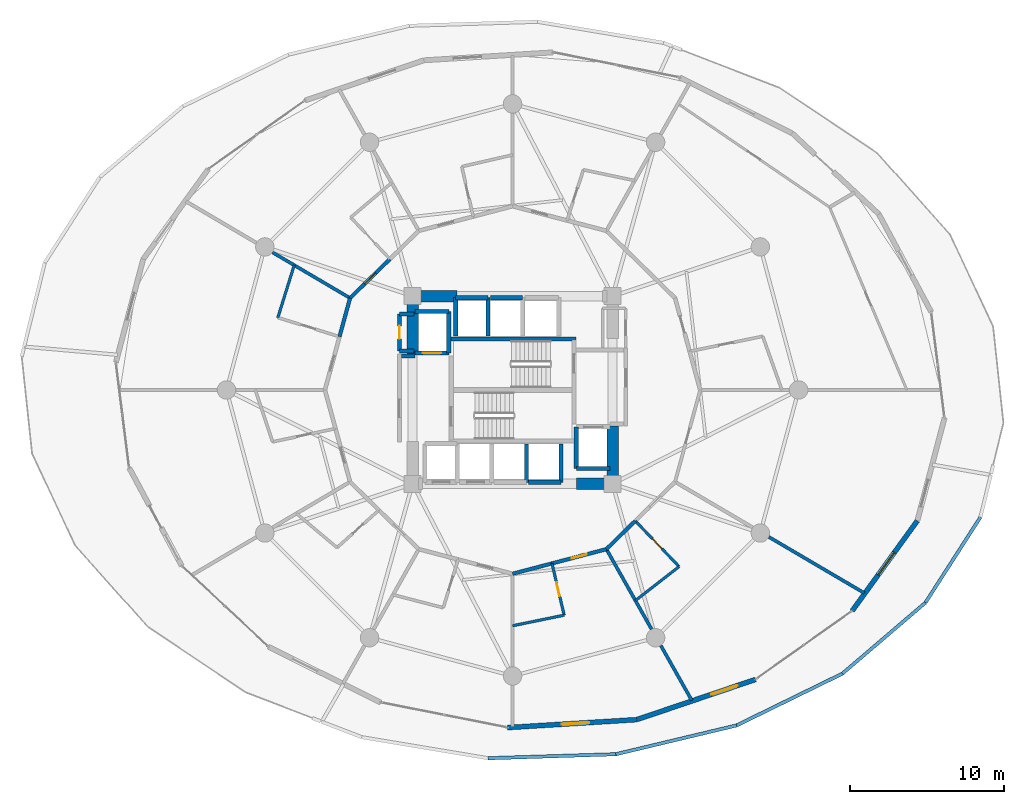
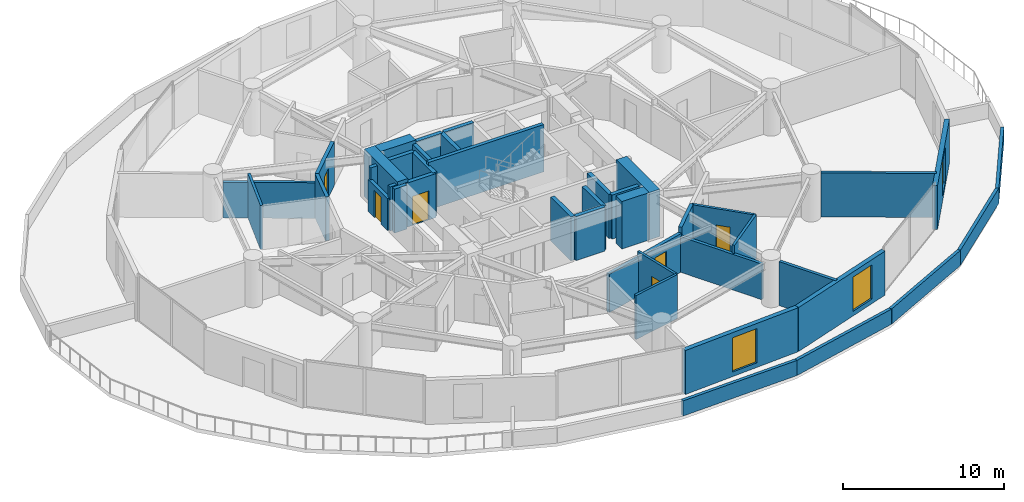
# One storey, part 19 of 25: 43 walls, 6 doors, 3 windows, 9 openings.
"""IFC4 building model written with IfcOpenShell, lengths in metres."""

from ifc_helpers import new_model, si_unit, direction, frame, frame_2d, origin, place, context, subcontext, project, spatial, rectangle, extrude, material, layer, layer_set, type_object, element, fill, save


model = new_model("IFC4")

# Units and contexts
model_context = context("Model", 3, precision=1e-05, world=origin(), true_north=direction((0.0, 1.0)))
body_context = subcontext(model_context, "Body", "Model", "MODEL_VIEW")
ifc_project = project(units=[si_unit("LENGTHUNIT", "METRE"), si_unit("AREAUNIT", "SQUARE_METRE"), si_unit("VOLUMEUNIT", "CUBIC_METRE"), si_unit("PLANEANGLEUNIT", "RADIAN"), si_unit("MASSUNIT", "GRAM", prefix="KILO")], contexts=[model_context])

# Site, building, storey
site_placement = place(None, origin())
site = spatial("IfcSite", under=ifc_project, at=site_placement, CompositionType="ELEMENT")
building_placement = place(site_placement, origin())
building = spatial("IfcBuilding", under=site, at=building_placement, Name="Solvirekh Grand Hotel", CompositionType="ELEMENT")
storey_placement = place(building_placement, frame((0.0, 0.0, 28.39990234375)))
storey = spatial("IfcBuildingStorey", under=building, at=storey_placement, Name="L05", CompositionType="ELEMENT", Elevation=28.39990234375)

# Walls
ifc_material_1 = material(Name="Concrete C50/60", Category="concrete")
ifc_layer_1 = layer(ifc_material_1, 0.35009765625)
ifc_layer_set_1 = layer_set([ifc_layer_1], Name="Concrete C50/60")
wall_type_1 = type_object("IfcWallType", Name="CoreDivWall_RC350", PredefinedType="SOLIDWALL", material=ifc_layer_set_1)
wall_1_placement = place(storey_placement, frame((-4.1298828125, 3.324951171875, 0.0), z_axis=(0.0, 0.0, 1.0), x_axis=(1.0, 0.0, 0.0)))
element("IfcWall", 1, at=wall_1_placement, inside=storey, type_object=wall_type_1, Name="L05 core stair box wall ST-N", PredefinedType="SOLIDWALL", context=body_context, shape_type="SweptSolid", body=[
    extrude(rectangle(XDim=8.259765625, YDim=0.25, at=frame_2d((4.1298828125, 0.0))), origin(), (0.0, 0.0, 1.0), 3.60009765625),
])
ifc_material_2 = material(Name="Concrete C40/50", Category="concrete")
ifc_layer_2 = layer(ifc_material_2, 0.280029296875)
ifc_layer_set_2 = layer_set([ifc_layer_2], Name="Concrete C40/50")
wall_type_2 = type_object("IfcWallType", Name="CoreShaftWall_RC280", PredefinedType="SOLIDWALL", material=ifc_layer_set_2)
wall_2_placement = place(storey_placement, frame((0.89990234375, -6.0, 0.0), z_axis=(0.0, 0.0, 1.0), x_axis=(0.0, 1.0, 0.0)))
element("IfcWall", 2, at=wall_2_placement, inside=storey, type_object=wall_type_2, Name="L05 MP-1 hoistway E wall", PredefinedType="SOLIDWALL", context=body_context, shape_type="SweptSolid", body=[
    extrude(rectangle(XDim=2.5, YDim=0.280029296875, at=frame_2d((1.25, 0.0))), origin(), (0.0, 0.0, 1.0), 3.340087890625),
])
wall_3_placement = place(storey_placement, frame((1.050048828125, -6.0, 0.0), z_axis=(0.0, 0.0, 1.0), x_axis=(1.0, 0.0, 0.0)))
element("IfcWall", 3, at=wall_3_placement, inside=storey, type_object=wall_type_2, Name="L05 MP-2 hoistway S wall", PredefinedType="SOLIDWALL", context=body_context, shape_type="SweptSolid", body=[
    extrude(rectangle(XDim=2.099853515625, YDim=0.280029296875, at=frame_2d((1.0498046875, 0.0))), origin(), (0.0, 0.0, 1.0), 3.340087890625),
])
wall_4_placement = place(storey_placement, frame((3.14990234375, -6.0, 0.0), z_axis=(0.0, 0.0, 1.0), x_axis=(0.0, 1.0, 0.0)))
element("IfcWall", 4, at=wall_4_placement, inside=storey, type_object=wall_type_2, Name="L05 MP-2 hoistway E wall", PredefinedType="SOLIDWALL", context=body_context, shape_type="SweptSolid", body=[
    extrude(rectangle(XDim=2.5, YDim=0.280029296875, at=frame_2d((1.25, 0.0))), origin(), (0.0, 0.0, 1.0), 3.340087890625),
])
wall_5_placement = place(storey_placement, frame((-1.60009765625, 6.0, 0.0), z_axis=(0.0, 0.0, 1.0), x_axis=(-1.0, 0.0, 0.0)))
element("IfcWall", 5, at=wall_5_placement, inside=storey, type_object=wall_type_2, Name="L05 HP-1 hoistway N wall", PredefinedType="SOLIDWALL", context=body_context, shape_type="SweptSolid", body=[
    extrude(rectangle(XDim=2.099853515625, YDim=0.280029296875, at=frame_2d((1.0498046875, 0.0))), origin(), (0.0, 0.0, 1.0), 3.340087890625),
])
for number, where, z_axis, x_axis, name in (
    (6, (-3.699951171875, 6.0, 0.0), (0.0, 0.0, 1.0), (0.0, -1.0, 0.0), "L05 HP-1 hoistway W wall"),
    (7, (-1.60009765625, 3.5, 0.0), (0.0, 0.0, 1.0), (0.0, 1.0, 0.0), "L05 HP-1 hoistway E wall"),
):
    element("IfcWall", number, at=place(storey_placement, frame(where, z_axis=z_axis, x_axis=x_axis)), inside=storey, type_object=wall_type_2, Name=name, PredefinedType="SOLIDWALL", context=body_context, shape_type="SweptSolid", body=[
        extrude(rectangle(XDim=2.5, YDim=0.280029296875, at=frame_2d((1.25, 0.0))), origin(), (0.0, 0.0, 1.0), 3.340087890625),
    ])
wall_6_placement = place(storey_placement, frame((0.64990234375, 6.0, 0.0), z_axis=(0.0, 0.0, 1.0), x_axis=(-1.0, 0.0, 0.0)))
element("IfcWall", 8, at=wall_6_placement, inside=storey, type_object=wall_type_2, Name="L05 HP-2 hoistway N wall", PredefinedType="SOLIDWALL", context=body_context, shape_type="SweptSolid", body=[
    extrude(rectangle(XDim=2.099853515625, YDim=0.280029296875, at=frame_2d((1.0498046875, 0.0))), origin(), (0.0, 0.0, 1.0), 3.340087890625),
])

# Wall, opening, door
wall_7_placement = place(storey_placement, frame((-6.35009765625, 2.39990234375, 0.0), z_axis=(0.0, 0.0, 1.0), x_axis=(1.0, 0.0, 0.0)))
wall_7 = element("IfcWall", 9, at=wall_7_placement, inside=storey, type_object=wall_type_2, Name="L05 FL-1 hoistway S wall", PredefinedType="SOLIDWALL", context=body_context, shape_type="SweptSolid", body=[
    extrude(rectangle(XDim=2.2001953125, YDim=0.280029296875, at=frame_2d((1.10009765625, 0.0))), origin(), (0.0, 0.0, 1.0), 3.340087890625),
])
opening_1_placement = place(wall_7_placement, frame((0.5, 0.0, 0.0)))
opening_1 = element("IfcOpeningElement", 10, at=opening_1_placement, cuts=wall_7, Name="Opening LD02", PredefinedType="OPENING", context=body_context, shape_type="SweptSolid", body=[
    extrude(rectangle(XDim=1.199951171875, YDim=2.199951171875, at=frame_2d((0.60009765625, 1.10009765625))), frame((0.0, 0.14990234375, 0.0), z_axis=(0.0, -1.0, 0.0), x_axis=(1.0, 0.0, 0.0)), (0.0, 0.0, 1.0), 0.300048828125),
])
ifc_material_3 = material(Name="Fire-Rated Steel Door Assembly", Category="steel")
door_type_1 = type_object("IfcDoorType", Name="Door_LiftFF_1200X2200", OperationType="SLIDING_TO_LEFT", PredefinedType="DOOR", material=ifc_material_3)
door_1_placement = place(opening_1_placement, origin())
door_1 = element("IfcDoor", 11, at=door_1_placement, inside=storey, type_object=door_type_1, Name="L05 FL-1 sliding lift landing door", OperationType="SLIDING_TO_LEFT", OverallHeight=2.199951171875, OverallWidth=1.199951171875, PredefinedType="DOOR", context=body_context, shape_type="SweptSolid", body=[
    extrude(rectangle(XDim=1.199951171875, YDim=2.199951171875, at=frame_2d((0.60009765625, 1.10009765625))), frame((0.0, 0.02490234375, 0.0), z_axis=(0.0, -1.0, 0.0), x_axis=(1.0, 0.0, 0.0)), (0.0, 0.0, 1.0), 0.050048828125),
])
fill(opening_1, door_1)

# Walls
wall_8_placement = place(storey_placement, frame((-4.14990234375, 5.10009765625, 0.0), z_axis=(0.0, 0.0, 1.0), x_axis=(-1.0, 0.0, 0.0)))
element("IfcWall", 12, at=wall_8_placement, inside=storey, type_object=wall_type_2, Name="L05 FL-1 hoistway N wall", PredefinedType="SOLIDWALL", context=body_context, shape_type="SweptSolid", body=[
    extrude(rectangle(XDim=2.2001953125, YDim=0.280029296875, at=frame_2d((1.10009765625, 0.0))), origin(), (0.0, 0.0, 1.0), 3.340087890625),
])
wall_9_placement = place(storey_placement, frame((-4.14990234375, 2.39990234375, 0.0), z_axis=(0.0, 0.0, 1.0), x_axis=(0.0, 1.0, 0.0)))
element("IfcWall", 13, at=wall_9_placement, inside=storey, type_object=wall_type_2, Name="L05 FL-1 hoistway E wall", PredefinedType="SOLIDWALL", context=body_context, shape_type="SweptSolid", body=[
    extrude(rectangle(XDim=2.7001953125, YDim=0.280029296875, at=frame_2d((1.35009765625, 0.0))), origin(), (0.0, 0.0, 1.0), 3.340087890625),
])
wall_10_placement = place(storey_placement, frame((4.14990234375, -5.10009765625, 0.0), z_axis=(0.0, 0.0, 1.0), x_axis=(1.0, 0.0, 0.0)))
element("IfcWall", 14, at=wall_10_placement, inside=storey, type_object=wall_type_2, Name="L05 FL-2 hoistway S wall", PredefinedType="SOLIDWALL", context=body_context, shape_type="SweptSolid", body=[
    extrude(rectangle(XDim=2.2001953125, YDim=0.280029296875, at=frame_2d((1.10009765625, 0.0))), origin(), (0.0, 0.0, 1.0), 3.340087890625),
])
wall_11_placement = place(storey_placement, frame((4.14990234375, -2.39990234375, 0.0), z_axis=(0.0, 0.0, 1.0), x_axis=(0.0, -1.0, 0.0)))
element("IfcWall", 15, at=wall_11_placement, inside=storey, type_object=wall_type_2, Name="L05 FL-2 hoistway W wall", PredefinedType="SOLIDWALL", context=body_context, shape_type="SweptSolid", body=[
    extrude(rectangle(XDim=2.7001953125, YDim=0.280029296875, at=frame_2d((1.35009765625, 0.0))), origin(), (0.0, 0.0, 1.0), 3.340087890625),
])
ifc_material_4 = material(Name="Concrete C60/75", Category="concrete")
ifc_layer_3 = layer(ifc_material_4, 0.75)
ifc_layer_set_3 = layer_set([ifc_layer_3], Name="Concrete C60/75")
wall_type_3 = type_object("IfcWallType", Name="CoreWall_RC750", PredefinedType="SHEAR", material=ifc_layer_set_3)
wall_12_placement = place(storey_placement, frame((4.14990234375, -6.10009765625, 0.0), z_axis=(0.0, 0.0, 1.0), x_axis=(1.0, 0.0, 0.0)))
element("IfcWall", 16, at=wall_12_placement, inside=storey, type_object=wall_type_3, Name="L05 core corner shear wall SE-S", PredefinedType="SHEAR", context=body_context, shape_type="SweptSolid", body=[
    extrude(rectangle(XDim=1.97509765625, YDim=0.75, at=frame_2d((0.987548828125, 0.0))), origin(), (0.0, 0.0, 1.0), 3.60009765625),
])
wall_13_placement = place(storey_placement, frame((-6.125, 6.10009765625, 0.0), z_axis=(0.0, 0.0, 1.0), x_axis=(1.0, 0.0, 0.0)))
element("IfcWall", 17, at=wall_13_placement, inside=storey, type_object=wall_type_3, Name="L05 core corner shear wall NW-N", PredefinedType="SHEAR", context=body_context, shape_type="SweptSolid", body=[
    extrude(rectangle(XDim=2.52490234375, YDim=0.75, at=frame_2d((1.262451171875, 0.0))), origin(), (0.0, 0.0, 1.0), 3.60009765625),
])
for number, where, z_axis, x_axis, name in (
    (18, (-6.5, 2.35009765625, 0.0), (0.0, 0.0, 1.0), (0.0, 1.0, 0.0), "L05 core corner shear wall WN-W"),
    (19, (6.5, -6.47509765625, 0.0), (0.0, 0.0, 1.0), (0.0, 1.0, 0.0), "L05 core corner shear wall ES-E"),
):
    element("IfcWall", number, at=place(storey_placement, frame(where, z_axis=z_axis, x_axis=x_axis)), inside=storey, type_object=wall_type_3, Name=name, PredefinedType="SHEAR", context=body_context, shape_type="SweptSolid", body=[
        extrude(rectangle(XDim=4.125, YDim=0.75, at=frame_2d((2.0625, 0.0))), origin(), (0.0, 0.0, 1.0), 3.60009765625),
    ])

# Wall, opening, window
ifc_material_5 = material(Name="Precast concrete C45/55", Category="concrete")
ifc_layer_4 = layer(ifc_material_5, 0.320068359375)
ifc_layer_set_4 = layer_set([ifc_layer_4], Name="Precast concrete C45/55")
wall_type_4 = type_object("IfcWallType", Name="ExtLobbyWall_RC320", PredefinedType="SOLIDWALL", material=ifc_layer_set_4)
wall_14_placement = place(storey_placement, frame((8.072998046875, -21.43505859375, 0.0), z_axis=(0.0, 0.0, 1.0), x_axis=(-0.998117750792, -0.06132663005, 0.0)))
wall_14 = element("IfcWall", 20, at=wall_14_placement, inside=storey, type_object=wall_type_4, Name="L05 exterior structural wall chord 16", PredefinedType="SOLIDWALL", context=body_context, shape_type="SweptSolid", body=[
    extrude(rectangle(XDim=8.411865234375, YDim=0.320068359375, at=frame_2d((4.2060546875, 0.0))), origin(), (0.0, 0.0, 1.0), 3.340087890625),
])
opening_2_placement = place(wall_14_placement, frame((3.093017578125, 0.0, 0.35009765625)))
opening_2 = element("IfcOpeningElement", 21, at=opening_2_placement, cuts=wall_14, Name="Opening W02", PredefinedType="OPENING", context=body_context, shape_type="SweptSolid", body=[
    extrude(rectangle(XDim=1.800048828125, YDim=2.60009765625, at=frame_2d((0.89990234375, 1.300048828125))), frame((0.0, 0.169921875, 0.0), z_axis=(0.0, -1.0, 0.0), x_axis=(1.0, 0.0, 0.0)), (0.0, 0.0, 1.0), 0.340087890625),
])
ifc_material_6 = material(Name="Low-E Tinted Bronze Laminated Glass", Category="aluminium")
window_type = type_object("IfcWindowType", Name="Win_LobbyExt_1800X2600", PartitioningType="SINGLE_PANEL", PredefinedType="WINDOW", material=ifc_material_6)
window_1_placement = place(opening_2_placement, origin())
window_1 = element("IfcWindow", 22, at=window_1_placement, inside=storey, type_object=window_type, Name="L05 panoramic bronze-framed window 16", OverallHeight=2.60009765625, OverallWidth=1.800048828125, PartitioningType="SINGLE_PANEL", PredefinedType="WINDOW", context=body_context, shape_type="SweptSolid", body=[
    extrude(rectangle(XDim=1.800048828125, YDim=2.60009765625, at=frame_2d((0.89990234375, 1.300048828125))), frame((0.0, 0.030029296875, 0.0), z_axis=(0.0, -1.0, 0.0), x_axis=(1.0, 0.0, 0.0)), (0.0, 0.0, 1.0), 0.06005859375),
])
fill(opening_2, window_1)

wall_15_placement = place(storey_placement, frame((15.79296875, -18.821044921875, 0.0), z_axis=(0.0, 0.0, 1.0), x_axis=(-0.94717495877, -0.320717317085, 0.0)))
wall_15 = element("IfcWall", 23, at=wall_15_placement, inside=storey, type_object=wall_type_4, Name="L05 exterior structural wall chord 17", PredefinedType="SOLIDWALL", context=body_context, shape_type="SweptSolid", body=[
    extrude(rectangle(XDim=8.150634765625, YDim=0.320068359375, at=frame_2d((4.0751953125, 0.0))), origin(), (0.0, 0.0, 1.0), 3.340087890625),
])
opening_3_placement = place(wall_15_placement, frame((1.22900390625, 0.0, 0.35009765625)))
opening_3 = element("IfcOpeningElement", 24, at=opening_3_placement, cuts=wall_15, Name="Opening W02", PredefinedType="OPENING", context=body_context, shape_type="SweptSolid", body=[
    extrude(rectangle(XDim=1.800048828125, YDim=2.60009765625, at=frame_2d((0.89990234375, 1.300048828125))), frame((0.0, 0.169921875, 0.0), z_axis=(0.0, -1.0, 0.0), x_axis=(1.0, 0.0, 0.0)), (0.0, 0.0, 1.0), 0.340087890625),
])
window_2_placement = place(opening_3_placement, origin())
window_2 = element("IfcWindow", 25, at=window_2_placement, inside=storey, type_object=window_type, Name="L05 panoramic bronze-framed window 17", OverallHeight=2.60009765625, OverallWidth=1.800048828125, PartitioningType="SINGLE_PANEL", PredefinedType="WINDOW", context=body_context, shape_type="SweptSolid", body=[
    extrude(rectangle(XDim=1.800048828125, YDim=2.60009765625, at=frame_2d((0.89990234375, 1.300048828125))), frame((0.0, 0.030029296875, 0.0), z_axis=(0.0, -1.0, 0.0), x_axis=(1.0, 0.0, 0.0)), (0.0, 0.0, 1.0), 0.06005859375),
])
fill(opening_3, window_2)

wall_16_placement = place(storey_placement, frame((26.31591796875, -8.5029296875, 0.0), z_axis=(0.0, 0.0, 1.0), x_axis=(-0.585883584877, -0.810395227634, 0.0)))
wall_16 = element("IfcWall", 26, at=wall_16_placement, inside=storey, type_object=wall_type_4, Name="L05 exterior structural wall chord 19", PredefinedType="SOLIDWALL", context=body_context, shape_type="SweptSolid", body=[
    extrude(rectangle(XDim=7.233642578125, YDim=0.320068359375, at=frame_2d((3.61669921875, 0.0))), origin(), (0.0, 0.0, 1.0), 3.340087890625),
])
opening_4_placement = place(wall_16_placement, frame((2.544921875, 0.0, 0.35009765625)))
opening_4 = element("IfcOpeningElement", 27, at=opening_4_placement, cuts=wall_16, Name="Opening W02", PredefinedType="OPENING", context=body_context, shape_type="SweptSolid", body=[
    extrude(rectangle(XDim=1.800048828125, YDim=2.60009765625, at=frame_2d((0.89990234375, 1.300048828125))), frame((0.0, 0.169921875, 0.0), z_axis=(0.0, -1.0, 0.0), x_axis=(1.0, 0.0, 0.0)), (0.0, 0.0, 1.0), 0.340087890625),
])
window_3_placement = place(opening_4_placement, origin())
window_3 = element("IfcWindow", 28, at=window_3_placement, inside=storey, type_object=window_type, Name="L05 panoramic bronze-framed window 19", OverallHeight=2.60009765625, OverallWidth=1.800048828125, PartitioningType="SINGLE_PANEL", PredefinedType="WINDOW", context=body_context, shape_type="SweptSolid", body=[
    extrude(rectangle(XDim=1.800048828125, YDim=2.60009765625, at=frame_2d((0.89990234375, 1.300048828125))), frame((0.0, 0.030029296875, 0.0), z_axis=(0.0, -1.0, 0.0), x_axis=(1.0, 0.0, 0.0)), (0.0, 0.0, 1.0), 0.06005859375),
])
fill(opening_4, window_3)

# Walls
ifc_layer_5 = layer(ifc_material_5, 0.219970703125)
ifc_layer_set_5 = layer_set([ifc_layer_5], Name="Precast concrete C45/55")
wall_type_5 = type_object("IfcWallType", Name="ExtParapet_RC220", PredefinedType="PARAPET", material=ifc_layer_set_5)
wall_17_placement = place(storey_placement, frame((-1.60693359375, -23.946044921875, 0.0), z_axis=(0.0, 0.0, 1.0), x_axis=(0.999508118347, 0.031361144071, 0.0)))
element("IfcWall", 29, at=wall_17_placement, inside=storey, type_object=wall_type_5, Name="L05 south podium roof upstand parapet 4", PredefinedType="PARAPET", context=body_context, shape_type="SweptSolid", body=[
    extrude(rectangle(XDim=8.322021484375, YDim=0.219970703125, at=frame_2d((4.1611328125, 0.0))), origin(), (0.0, 0.0, 1.0), 1.150146484375),
])
wall_18_placement = place(storey_placement, frame((6.7109375, -23.68505859375, 0.0), z_axis=(0.0, 0.0, 1.0), x_axis=(0.972686482299, 0.232122827727, 0.0)))
element("IfcWall", 30, at=wall_18_placement, inside=storey, type_object=wall_type_5, Name="L05 south podium roof upstand parapet 5", PredefinedType="PARAPET", context=body_context, shape_type="SweptSolid", body=[
    extrude(rectangle(XDim=8.081787109375, YDim=0.219970703125, at=frame_2d((4.041015625, 0.0))), origin(), (0.0, 0.0, 1.0), 1.150146484375),
])
wall_19_placement = place(storey_placement, frame((14.572021484375, -21.80908203125, 0.0), z_axis=(0.0, 0.0, 1.0), x_axis=(0.898207066033, 0.439572595289, 0.0)))
element("IfcWall", 31, at=wall_19_placement, inside=storey, type_object=wall_type_5, Name="L05 south podium roof upstand parapet 6", PredefinedType="PARAPET", context=body_context, shape_type="SweptSolid", body=[
    extrude(rectangle(XDim=7.646240234375, YDim=0.219970703125, at=frame_2d((3.8232421875, 0.0))), origin(), (0.0, 0.0, 1.0), 1.150146484375),
])
wall_20_placement = place(storey_placement, frame((21.43994140625, -18.447998046875, 0.0), z_axis=(0.0, 0.0, 1.0), x_axis=(0.760343653317, 0.649520999553, 0.0)))
element("IfcWall", 32, at=wall_20_placement, inside=storey, type_object=wall_type_5, Name="L05 south podium roof upstand parapet 7", PredefinedType="PARAPET", context=body_context, shape_type="SweptSolid", body=[
    extrude(rectangle(XDim=7.111328125, YDim=0.219970703125, at=frame_2d((3.5556640625, 0.0))), origin(), (0.0, 0.0, 1.0), 1.150146484375),
])
wall_21_placement = place(storey_placement, frame((26.846923828125, -13.8291015625, 0.0), z_axis=(0.0, 0.0, 1.0), x_axis=(0.540992703038, 0.841027285681, 0.0)))
element("IfcWall", 33, at=wall_21_placement, inside=storey, type_object=wall_type_5, Name="L05 south podium roof upstand parapet 8", PredefinedType="PARAPET", context=body_context, shape_type="SweptSolid", body=[
    extrude(rectangle(XDim=6.6123046875, YDim=0.219970703125, at=frame_2d((3.30615234375, 0.0))), origin(), (0.0, 0.0, 1.0), 1.150146484375),
])

# Wall, opening, door
ifc_material_7 = material(Name="Acoustic Gypsum Partition Assembly")
ifc_layer_6 = layer(ifc_material_7, 0.239990234375)
ifc_layer_set_6 = layer_set([ifc_layer_6], Name="Acoustic Gypsum Partition Assembly")
wall_type_6 = type_object("IfcWallType", Name="Part_Corridor_240", PredefinedType="PARTITIONING", material=ifc_layer_set_6)
wall_22_placement = place(storey_placement, frame((-7.97607421875, 8.511962890625, 0.0), z_axis=(0.0, 0.0, 1.0), x_axis=(-0.714375756875, -0.699762301064, 0.0)))
wall_22 = element("IfcWall", 34, at=wall_22_placement, inside=storey, type_object=wall_type_6, Name="L05 Deluxe Guestroom 0704 entrance wall", PredefinedType="PARTITIONING", context=body_context, shape_type="SweptSolid", body=[
    extrude(rectangle(XDim=3.625244140625, YDim=0.239990234375, at=frame_2d((1.8125, 0.0))), origin(), (0.0, 0.0, 1.0), 3.340087890625),
])
opening_5_placement = place(wall_22_placement, frame((1.31298828125, 0.0, 0.0)))
opening_5 = element("IfcOpeningElement", 35, at=opening_5_placement, cuts=wall_22, Name="Opening D07", PredefinedType="OPENING", context=body_context, shape_type="SweptSolid", body=[
    extrude(rectangle(XDim=1.0, YDim=2.199951171875, at=frame_2d((0.5, 1.10009765625))), frame((0.0, 0.1298828125, 0.0), z_axis=(0.0, -1.0, 0.0), x_axis=(1.0, 0.0, 0.0)), (0.0, 0.0, 1.0), 0.260009765625),
])
door_type_2 = type_object("IfcDoorType", Name="Door_GuestEntry_1000X2200", OperationType="NOTDEFINED", PredefinedType="DOOR", material=ifc_material_3)
door_2_placement = place(opening_5_placement, origin())
door_2 = element("IfcDoor", 36, at=door_2_placement, inside=storey, type_object=door_type_2, Name="L05 Deluxe Guestroom 0704 entrance door", OperationType="SINGLE_SWING_LEFT", OverallHeight=2.199951171875, OverallWidth=1.0, PredefinedType="DOOR", context=body_context, shape_type="SweptSolid", body=[
    extrude(rectangle(XDim=1.0, YDim=2.199951171875, at=frame_2d((0.5, 1.10009765625))), frame((0.0, 0.02490234375, 0.0), z_axis=(0.0, -1.0, 0.0), x_axis=(1.0, 0.0, 0.0)), (0.0, 0.0, 1.0), 0.050048828125),
])
fill(opening_5, door_2)

# Walls
wall_23_placement = place(storey_placement, frame((-10.56591796875, 5.97509765625, 0.0), z_axis=(0.0, 0.0, 1.0), x_axis=(-0.263744763784, -0.964592504416, 0.0)))
element("IfcWall", 37, at=wall_23_placement, inside=storey, type_object=wall_type_6, Name="L05 En-suite Bathroom 0705 corridor backing wall", PredefinedType="PARTITIONING", context=body_context, shape_type="SweptSolid", body=[
    extrude(rectangle(XDim=2.60107421875, YDim=0.239990234375, at=frame_2d((1.300537109375, 0.0))), origin(), (0.0, 0.0, 1.0), 3.340087890625),
])
wall_24_placement = place(storey_placement, frame((0.0, -11.949951171875, 0.0), z_axis=(0.0, 0.0, 1.0), x_axis=(0.967291490053, 0.253667446219, 0.0)))
element("IfcWall", 38, at=wall_24_placement, inside=storey, type_object=wall_type_6, Name="L05 En-suite Bathroom 0709 corridor backing wall", PredefinedType="PARTITIONING", context=body_context, shape_type="SweptSolid", body=[
    extrude(rectangle(XDim=2.648681640625, YDim=0.239990234375, at=frame_2d((1.32421875, 0.0))), origin(), (0.0, 0.0, 1.0), 2.919189453125),
])

# Wall, opening, door
wall_25_placement = place(storey_placement, frame((2.56201171875, -11.278076171875, 0.0), z_axis=(0.0, 0.0, 1.0), x_axis=(0.96721703222, 0.253951201187, 0.0)))
wall_25 = element("IfcWall", 39, at=wall_25_placement, inside=storey, type_object=wall_type_6, Name="L05 Deluxe Guestroom 0709 entrance wall", PredefinedType="PARTITIONING", context=body_context, shape_type="SweptSolid", body=[
    extrude(rectangle(XDim=3.657958984375, YDim=0.239990234375, at=frame_2d((1.8291015625, 0.0))), origin(), (0.0, 0.0, 1.0), 2.919189453125),
])
opening_6_placement = place(wall_25_placement, frame((1.3291015625, 0.0, 0.0)))
opening_6 = element("IfcOpeningElement", 40, at=opening_6_placement, cuts=wall_25, Name="Opening D07", PredefinedType="OPENING", context=body_context, shape_type="SweptSolid", body=[
    extrude(rectangle(XDim=1.0, YDim=2.199951171875, at=frame_2d((0.5, 1.10009765625))), frame((0.0, 0.1298828125, 0.0), z_axis=(0.0, -1.0, 0.0), x_axis=(1.0, 0.0, 0.0)), (0.0, 0.0, 1.0), 0.260009765625),
])
door_3_placement = place(opening_6_placement, origin())
door_3 = element("IfcDoor", 41, at=door_3_placement, inside=storey, type_object=door_type_2, Name="L05 Deluxe Guestroom 0709 entrance door", OperationType="SINGLE_SWING_LEFT", OverallHeight=2.199951171875, OverallWidth=1.0, PredefinedType="DOOR", context=body_context, shape_type="SweptSolid", body=[
    extrude(rectangle(XDim=1.0, YDim=2.199951171875, at=frame_2d((0.5, 1.10009765625))), frame((0.0, 0.02490234375, 0.0), z_axis=(0.0, -1.0, 0.0), x_axis=(1.0, 0.0, 0.0)), (0.0, 0.0, 1.0), 0.050048828125),
])
fill(opening_6, door_3)

# Walls
wall_26_placement = place(storey_placement, frame((6.10009765625, -10.34912109375, 0.0), z_axis=(0.0, 0.0, 1.0), x_axis=(0.714460071513, 0.69967621527, 0.0)))
element("IfcWall", 42, at=wall_26_placement, inside=storey, type_object=wall_type_6, Name="L05 En-suite Bathroom 0710 corridor backing wall", PredefinedType="PARTITIONING", context=body_context, shape_type="SweptSolid", body=[
    extrude(rectangle(XDim=2.625732421875, YDim=0.239990234375, at=frame_2d((1.31298828125, 0.0))), origin(), (0.0, 0.0, 1.0), 3.340087890625),
])
ifc_layer_7 = layer(ifc_material_7, 0.260009765625)
ifc_layer_set_7 = layer_set([ifc_layer_7], Name="Acoustic Gypsum Partition Assembly")
wall_type_7 = type_object("IfcWallType", Name="Part_LobbyFF_260", PredefinedType="PARTITIONING", material=ifc_layer_set_7)
wall_27_placement = place(storey_placement, frame((-7.22509765625, 2.2099609375, 0.0), z_axis=(0.0, 0.0, 1.0), x_axis=(1.0, 0.0, 0.0)))
element("IfcWall", 43, at=wall_27_placement, inside=storey, type_object=wall_type_7, Name="L05 west firefighting lobby NW cheek", PredefinedType="PARTITIONING", context=body_context, shape_type="SweptSolid", body=[
    extrude(rectangle(XDim=0.875, YDim=0.260009765625, at=frame_2d((0.4375, 0.0))), origin(), (0.0, 0.0, 1.0), 3.340087890625),
])
for number, where, z_axis, x_axis, name in (
    (44, (-7.35009765625, 4.949951171875, 0.0), (0.0, 0.0, 1.0), (1.0, 0.0, 0.0), "L05 NW telecom metering cupboard north wall"),
    (45, (-7.35009765625, 2.550048828125, 0.0), (0.0, 0.0, 1.0), (1.0, 0.0, 0.0), "L05 NW telecom metering cupboard south wall"),
):
    element("IfcWall", number, at=place(storey_placement, frame(where, z_axis=z_axis, x_axis=x_axis)), inside=storey, type_object=wall_type_7, Name=name, PredefinedType="PARTITIONING", context=body_context, shape_type="SweptSolid", body=[
        extrude(rectangle(XDim=0.93017578125, YDim=0.260009765625, at=frame_2d((0.465087890625, 0.0))), origin(), (0.0, 0.0, 1.0), 3.340087890625),
    ])

# Wall, opening, door
wall_28_placement = place(storey_placement, frame((-7.35009765625, 2.550048828125, 0.0), z_axis=(0.0, 0.0, 1.0), x_axis=(0.0, 1.0, 0.0)))
wall_28 = element("IfcWall", 46, at=wall_28_placement, inside=storey, type_object=wall_type_7, Name="L05 NW telecom metering cupboard access wall", PredefinedType="PARTITIONING", context=body_context, shape_type="SweptSolid", body=[
    extrude(rectangle(XDim=2.39990234375, YDim=0.260009765625, at=frame_2d((1.199951171875, 0.0))), origin(), (0.0, 0.0, 1.0), 2.425048828125),
])
opening_7_placement = place(wall_28_placement, frame((0.77490234375, 0.0, 0.0)))
opening_7 = element("IfcOpeningElement", 47, at=opening_7_placement, cuts=wall_28, Name="Opening D13", PredefinedType="OPENING", context=body_context, shape_type="SweptSolid", body=[
    extrude(rectangle(XDim=0.85009765625, YDim=2.050048828125, at=frame_2d((0.425048828125, 1.02490234375))), frame((0.0, 0.14013671875, 0.0), z_axis=(0.0, -1.0, 0.0), x_axis=(1.0, 0.0, 0.0)), (0.0, 0.0, 1.0), 0.280029296875),
])
door_type_3 = type_object("IfcDoorType", Name="Door_RiserShaft_850X2050", OperationType="NOTDEFINED", PredefinedType="DOOR", material=ifc_material_3)
door_4_placement = place(opening_7_placement, origin())
door_4 = element("IfcDoor", 48, at=door_4_placement, inside=storey, type_object=door_type_3, Name="L05 telecom metering cupboard access door", OperationType="SINGLE_SWING_RIGHT", OverallHeight=2.050048828125, OverallWidth=0.85009765625, PredefinedType="DOOR", context=body_context, shape_type="SweptSolid", body=[
    extrude(rectangle(XDim=0.85009765625, YDim=2.050048828125, at=frame_2d((0.425048828125, 1.02490234375))), frame((0.0, 0.02490234375, 0.0), z_axis=(0.0, -1.0, 0.0), x_axis=(1.0, 0.0, 0.0)), (0.0, 0.0, 1.0), 0.050048828125),
])
fill(opening_7, door_4)

# Walls
ifc_layer_8 = layer(ifc_material_7, 0.2099609375)
ifc_layer_set_8 = layer_set([ifc_layer_8], Name="Acoustic Gypsum Partition Assembly")
wall_type_8 = type_object("IfcWallType", Name="Part_SuiteDemise_210", PredefinedType="PARTITIONING", material=ifc_layer_set_8)
wall_29_placement = place(storey_placement, frame((-10.56591796875, 5.97509765625, 0.0), z_axis=(0.0, 0.0, 1.0), x_axis=(-0.86160761681, 0.507574935014, 0.0)))
element("IfcWall", 49, at=wall_29_placement, inside=storey, type_object=wall_type_8, Name="L05 suite radial wall 6 (A)", PredefinedType="PARTITIONING", context=body_context, shape_type="SweptSolid", body=[
    extrude(rectangle(XDim=5.844970703125, YDim=0.2099609375, at=frame_2d((2.92236328125, 0.0))), origin(), (0.0, 0.0, 1.0), 2.7080078125),
])
wall_30_placement = place(storey_placement, frame((6.10009765625, -10.34912109375, 0.0), z_axis=(0.0, 0.0, 1.0), x_axis=(0.491652896219, -0.870791266401, 0.0)))
element("IfcWall", 50, at=wall_30_placement, inside=storey, type_object=wall_type_8, Name="L05 suite radial wall 11 (A)", PredefinedType="PARTITIONING", context=body_context, shape_type="SweptSolid", body=[
    extrude(rectangle(XDim=5.96923828125, YDim=0.2099609375, at=frame_2d((2.984619140625, 0.0))), origin(), (0.0, 0.0, 1.0), 2.7080078125),
])
wall_31_placement = place(storey_placement, frame((9.64306640625, -16.6240234375, 0.0), z_axis=(0.0, 0.0, 1.0), x_axis=(0.491698874435, -0.87076530528, 0.0)))
element("IfcWall", 51, at=wall_31_placement, inside=storey, type_object=wall_type_8, Name="L05 suite radial wall 11 (B)", PredefinedType="PARTITIONING", context=body_context, shape_type="SweptSolid", body=[
    extrude(rectangle(XDim=4.0859375, YDim=0.2099609375, at=frame_2d((2.04296875, 0.0))), origin(), (0.0, 0.0, 1.0), 3.340087890625),
])
wall_32_placement = place(storey_placement, frame((16.669921875, -9.56103515625, 0.0), z_axis=(0.0, 0.0, 1.0), x_axis=(0.862214298177, -0.506543684215, 0.0)))
element("IfcWall", 52, at=wall_32_placement, inside=storey, type_object=wall_type_8, Name="L05 suite radial wall 12 (B)", PredefinedType="PARTITIONING", context=body_context, shape_type="SweptSolid", body=[
    extrude(rectangle(XDim=7.189697265625, YDim=0.2099609375, at=frame_2d((3.5947265625, 0.0))), origin(), (0.0, 0.0, 1.0), 3.340087890625),
])
ifc_layer_9 = layer(ifc_material_7, 0.175048828125)
ifc_layer_set_9 = layer_set([ifc_layer_9], Name="Acoustic Gypsum Partition Assembly")
wall_type_9 = type_object("IfcWallType", Name="Plumb_Ensuite_175", PredefinedType="PLUMBINGWALL", material=ifc_layer_set_9)
wall_33_placement = place(storey_placement, frame((-14.197021484375, 8.114013671875, 0.0), z_axis=(0.0, 0.0, 1.0), x_axis=(-0.298014103634, -0.954561466871, 0.0)))
element("IfcWall", 53, at=wall_33_placement, inside=storey, type_object=wall_type_9, Name="L05 En-suite Bathroom 0705 outer plumbing wall", PredefinedType="PLUMBINGWALL", context=body_context, shape_type="SweptSolid", body=[
    extrude(rectangle(XDim=3.570068359375, YDim=0.175048828125, at=frame_2d((1.78515625, 0.0))), origin(), (0.0, 0.0, 1.0), 3.340087890625),
])
wall_34_placement = place(storey_placement, frame((0.0, -15.330078125, 0.0), z_axis=(0.0, 0.0, 1.0), x_axis=(0.979614932167, 0.20088450581, 0.0)))
element("IfcWall", 54, at=wall_34_placement, inside=storey, type_object=wall_type_9, Name="L05 En-suite Bathroom 0709 outer plumbing wall", PredefinedType="PLUMBINGWALL", context=body_context, shape_type="SweptSolid", body=[
    extrude(rectangle(XDim=3.4248046875, YDim=0.175048828125, at=frame_2d((1.71240234375, 0.0))), origin(), (0.0, 0.0, 1.0), 3.340087890625),
])

# Wall, opening, door
wall_35_placement = place(storey_placement, frame((2.56201171875, -11.278076171875, 0.0), z_axis=(0.0, 0.0, 1.0), x_axis=(0.229433036384, -0.973324448381, 0.0)))
wall_35 = element("IfcWall", 55, at=wall_35_placement, inside=storey, type_object=wall_type_9, Name="L05 En-suite Bathroom 0709 entry plumbing wall", PredefinedType="PLUMBINGWALL", context=body_context, shape_type="SweptSolid", body=[
    extrude(rectangle(XDim=3.456298828125, YDim=0.175048828125, at=frame_2d((1.72802734375, 0.0))), origin(), (0.0, 0.0, 1.0), 3.340087890625),
])
opening_8_placement = place(wall_35_placement, frame((1.278076171875, 0.0, 0.0)))
opening_8 = element("IfcOpeningElement", 56, at=opening_8_placement, cuts=wall_35, Name="Opening D09", PredefinedType="OPENING", context=body_context, shape_type="SweptSolid", body=[
    extrude(rectangle(XDim=0.89990234375, YDim=2.10009765625, at=frame_2d((0.449951171875, 1.050048828125))), frame((0.0, 0.09765625, 0.0), z_axis=(0.0, -1.0, 0.0), x_axis=(1.0, 0.0, 0.0)), (0.0, 0.0, 1.0), 0.195068359375),
])
ifc_material_8 = material(Name="Anodized Bronze Aluminium 6063-T6", Category="aluminium")
door_type_4 = type_object("IfcDoorType", Name="Door_Ensuite_900X2100", OperationType="NOTDEFINED", PredefinedType="DOOR", material=ifc_material_8)
door_5_placement = place(opening_8_placement, origin())
door_5 = element("IfcDoor", 57, at=door_5_placement, inside=storey, type_object=door_type_4, Name="L05 En-suite Bathroom 0709 door", OperationType="SINGLE_SWING_RIGHT", OverallHeight=2.10009765625, OverallWidth=0.89990234375, PredefinedType="DOOR", context=body_context, shape_type="SweptSolid", body=[
    extrude(rectangle(XDim=0.89990234375, YDim=2.10009765625, at=frame_2d((0.449951171875, 1.050048828125))), frame((0.0, 0.02490234375, 0.0), z_axis=(0.0, -1.0, 0.0), x_axis=(1.0, 0.0, 0.0)), (0.0, 0.0, 1.0), 0.050048828125),
])
fill(opening_8, door_5)

# Wall
wall_36_placement = place(storey_placement, frame((7.988037109375, -13.69189453125, 0.0), z_axis=(0.0, 0.0, 1.0), x_axis=(0.78932298539, 0.613978195651, 0.0)))
element("IfcWall", 58, at=wall_36_placement, inside=storey, type_object=wall_type_9, Name="L05 En-suite Bathroom 0710 outer plumbing wall", PredefinedType="PLUMBINGWALL", context=body_context, shape_type="SweptSolid", body=[
    extrude(rectangle(XDim=3.597900390625, YDim=0.175048828125, at=frame_2d((1.798828125, 0.0))), origin(), (0.0, 0.0, 1.0), 3.340087890625),
])

# Wall, opening, door
wall_37_placement = place(storey_placement, frame((7.97607421875, -8.511962890625, 0.0), z_axis=(0.0, 0.0, 1.0), x_axis=(0.692493571669, -0.721424045342, 0.0)))
wall_37 = element("IfcWall", 59, at=wall_37_placement, inside=storey, type_object=wall_type_9, Name="L05 En-suite Bathroom 0710 entry plumbing wall", PredefinedType="PLUMBINGWALL", context=body_context, shape_type="SweptSolid", body=[
    extrude(rectangle(XDim=4.1181640625, YDim=0.175048828125, at=frame_2d((2.05908203125, 0.0))), origin(), (0.0, 0.0, 1.0), 3.340087890625),
])
opening_9_placement = place(wall_37_placement, frame((1.60888671875, 0.0, 0.0)))
opening_9 = element("IfcOpeningElement", 60, at=opening_9_placement, cuts=wall_37, Name="Opening D09", PredefinedType="OPENING", context=body_context, shape_type="SweptSolid", body=[
    extrude(rectangle(XDim=0.89990234375, YDim=2.10009765625, at=frame_2d((0.449951171875, 1.050048828125))), frame((0.0, 0.09765625, 0.0), z_axis=(0.0, -1.0, 0.0), x_axis=(1.0, 0.0, 0.0)), (0.0, 0.0, 1.0), 0.195068359375),
])
door_6_placement = place(opening_9_placement, origin())
door_6 = element("IfcDoor", 61, at=door_6_placement, inside=storey, type_object=door_type_4, Name="L05 En-suite Bathroom 0710 door", OperationType="SINGLE_SWING_RIGHT", OverallHeight=2.10009765625, OverallWidth=0.89990234375, PredefinedType="DOOR", context=body_context, shape_type="SweptSolid", body=[
    extrude(rectangle(XDim=0.89990234375, YDim=2.10009765625, at=frame_2d((0.449951171875, 1.050048828125))), frame((0.0, 0.02490234375, 0.0), z_axis=(0.0, -1.0, 0.0), x_axis=(1.0, 0.0, 0.0)), (0.0, 0.0, 1.0), 0.050048828125),
])
fill(opening_9, door_6)

save(model, "model.ifc")
